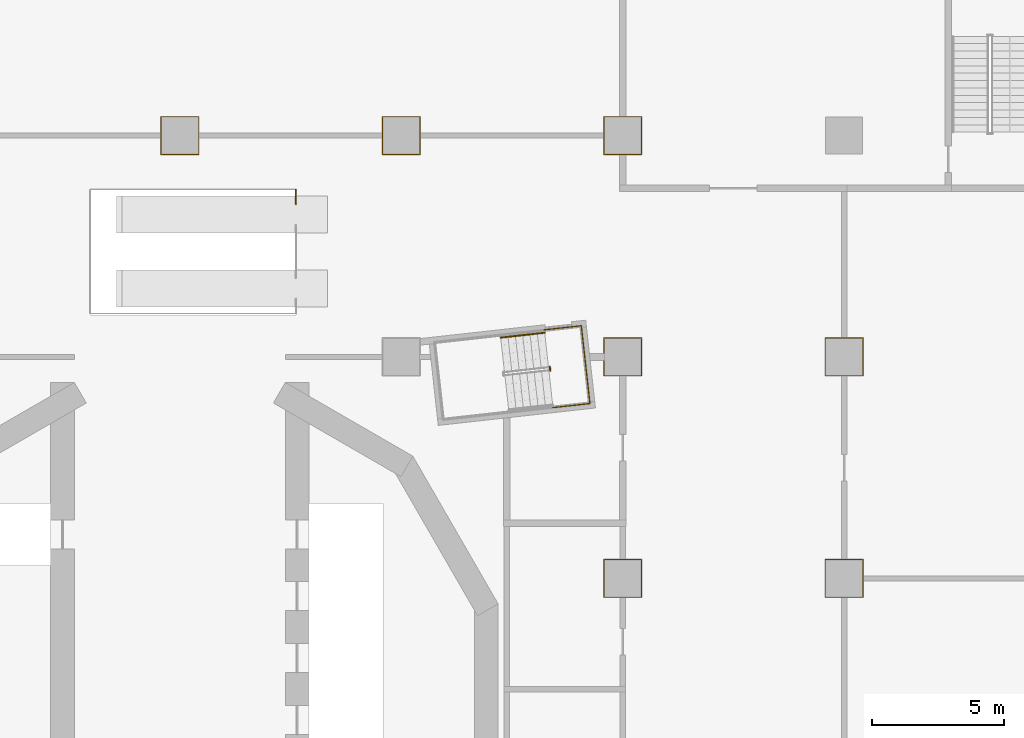
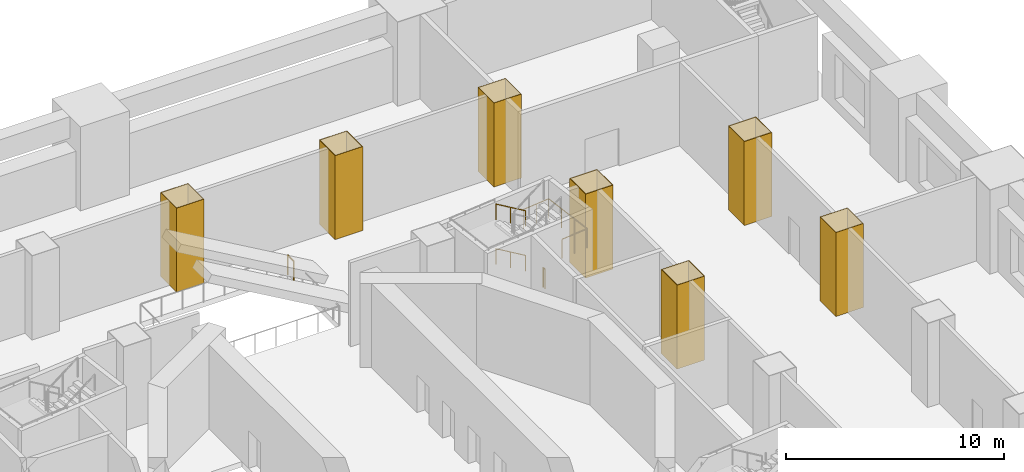
# One storey, part 14 of 18: 7 coverings, 5 railings.
"""IFC4 building model written with IfcOpenShell, lengths in metres."""

from ifc_helpers import new_model, si_unit, direction, frame, origin, origin_2d, place, context, subcontext, project, spatial, polyline, circle, outline, extrude, material, layer, layer_set, type_object, element, save


model = new_model("IFC4")

# Units and contexts
model_context = context("Model", 3, precision=1e-05, world=origin(), true_north=direction((0.0, 1.0)))
body_context = subcontext(model_context, "Body", "Model", "MODEL_VIEW")
ifc_project = project(units=[si_unit("LENGTHUNIT", "METRE"), si_unit("AREAUNIT", "SQUARE_METRE"), si_unit("VOLUMEUNIT", "CUBIC_METRE"), si_unit("PLANEANGLEUNIT", "RADIAN"), si_unit("MASSUNIT", "GRAM", prefix="KILO")], contexts=[model_context])

# Site, building, storey
site_placement = place(None, origin())
site = spatial("IfcSite", under=ifc_project, at=site_placement, CompositionType="ELEMENT")
building_placement = place(site_placement, origin())
building = spatial("IfcBuilding", under=site, at=building_placement, Name="Cantera Rosa Tower", CompositionType="ELEMENT")
storey_placement = place(building_placement, frame((0.0, 0.0, 17.0)))
storey = spatial("IfcBuildingStorey", under=building, at=storey_placement, Name="L02", CompositionType="ELEMENT", Elevation=17.0)

# Coverings
ifc_material_1 = material(Name="Plaster")
ifc_layer = layer(ifc_material_1, 0.030029296875)
ifc_layer_set = layer_set([ifc_layer], Name="Column casing 30")
covering_type = type_object("IfcCoveringType", Name="Column casing 30", PredefinedType="CLADDING", material=ifc_layer_set)
covering_1_placement = place(storey_placement, origin())
element("IfcCovering", 1, at=covering_1_placement, inside=storey, type_object=covering_type, Name="Column casing L02-019", PredefinedType="CLADDING", context=body_context, shape_type="SweptSolid", body=[
    extrude(outline(polyline([(-0.72998046875, 20.27001953125), (0.72998046875, 20.27001953125), (0.72998046875, 21.72998046875), (-0.72998046875, 21.72998046875), (-0.72998046875, 20.27001953125)]), holes=[polyline([(0.699951171875, 21.699951171875), (-0.699951171875, 21.699951171875), (-0.699951171875, 20.300048828125), (0.699951171875, 20.300048828125), (0.699951171875, 21.699951171875)])]), origin(), (0.0, 0.0, 1.0), 4.699951171875),
])
covering_2_placement = place(storey_placement, origin())
element("IfcCovering", 2, at=covering_2_placement, inside=storey, type_object=covering_type, Name="Column casing L02-023", PredefinedType="CLADDING", context=body_context, shape_type="SweptSolid", body=[
    extrude(outline(polyline([(7.669921875, 20.27001953125), (9.1298828125, 20.27001953125), (9.1298828125, 21.72998046875), (7.669921875, 21.72998046875), (7.669921875, 20.27001953125)]), holes=[polyline([(9.10009765625, 21.699951171875), (7.699951171875, 21.699951171875), (7.699951171875, 20.300048828125), (9.10009765625, 20.300048828125), (9.10009765625, 21.699951171875)])]), origin(), (0.0, 0.0, 1.0), 4.699951171875),
])
covering_3_placement = place(storey_placement, origin())
element("IfcCovering", 3, at=covering_3_placement, inside=storey, type_object=covering_type, Name="Column casing L02-028", PredefinedType="CLADDING", context=body_context, shape_type="SweptSolid", body=[
    extrude(outline(polyline([(16.070068359375, 3.469970703125), (17.530029296875, 3.469970703125), (17.530029296875, 4.929931640625), (16.070068359375, 4.929931640625), (16.070068359375, 3.469970703125)]), holes=[polyline([(17.5, 4.89990234375), (16.10009765625, 4.89990234375), (16.10009765625, 3.5), (17.5, 3.5), (17.5, 4.89990234375)])]), origin(), (0.0, 0.0, 1.0), 4.699951171875),
])
covering_4_placement = place(storey_placement, origin())
element("IfcCovering", 4, at=covering_4_placement, inside=storey, type_object=covering_type, Name="Column casing L02-029", PredefinedType="CLADDING", context=body_context, shape_type="SweptSolid", body=[
    extrude(outline(polyline([(16.070068359375, 11.8701171875), (17.530029296875, 11.8701171875), (17.530029296875, 13.330078125), (16.070068359375, 13.330078125), (16.070068359375, 11.8701171875)]), holes=[polyline([(17.5, 13.300048828125), (16.10009765625, 13.300048828125), (16.10009765625, 11.89990234375), (17.5, 11.89990234375), (17.5, 13.300048828125)])]), origin(), (0.0, 0.0, 1.0), 4.699951171875),
])
covering_5_placement = place(storey_placement, origin())
element("IfcCovering", 5, at=covering_5_placement, inside=storey, type_object=covering_type, Name="Column casing L02-030", PredefinedType="CLADDING", context=body_context, shape_type="SweptSolid", body=[
    extrude(outline(polyline([(16.070068359375, 20.27001953125), (17.530029296875, 20.27001953125), (17.530029296875, 21.72998046875), (16.070068359375, 21.72998046875), (16.070068359375, 20.27001953125)]), holes=[polyline([(17.5, 21.699951171875), (16.10009765625, 21.699951171875), (16.10009765625, 20.300048828125), (17.5, 20.300048828125), (17.5, 21.699951171875)])]), origin(), (0.0, 0.0, 1.0), 4.699951171875),
])
covering_6_placement = place(storey_placement, origin())
element("IfcCovering", 6, at=covering_6_placement, inside=storey, type_object=covering_type, Name="Column casing L02-034", PredefinedType="CLADDING", context=body_context, shape_type="SweptSolid", body=[
    extrude(outline(polyline([(24.469970703125, 3.469970703125), (25.929931640625, 3.469970703125), (25.929931640625, 4.929931640625), (24.469970703125, 4.929931640625), (24.469970703125, 3.469970703125)]), holes=[polyline([(25.89990234375, 4.89990234375), (24.5, 4.89990234375), (24.5, 3.5), (25.89990234375, 3.5), (25.89990234375, 4.89990234375)])]), origin(), (0.0, 0.0, 1.0), 4.699951171875),
])
covering_7_placement = place(storey_placement, origin())
element("IfcCovering", 7, at=covering_7_placement, inside=storey, type_object=covering_type, Name="Column casing L02-035", PredefinedType="CLADDING", context=body_context, shape_type="SweptSolid", body=[
    extrude(outline(polyline([(24.469970703125, 11.8701171875), (25.929931640625, 11.8701171875), (25.929931640625, 13.330078125), (24.469970703125, 13.330078125), (24.469970703125, 11.8701171875)]), holes=[polyline([(25.89990234375, 13.300048828125), (24.5, 13.300048828125), (24.5, 11.89990234375), (25.89990234375, 11.89990234375), (25.89990234375, 13.300048828125)])]), origin(), (0.0, 0.0, 1.0), 4.699951171875),
])

# Railings
ifc_material_2 = material(Name="Steel S355J2 (EN 10025-2)", Category="steel")
railing_type_1 = type_object("IfcRailingType", Name="STAIR GUARD 1100", PredefinedType="GUARDRAIL", material=ifc_material_2)
railing_1_placement = place(storey_placement, frame((14.032958984375, 12.234375, 0.0)))
element("IfcRailing", 8, at=railing_1_placement, inside=storey, type_object=railing_type_1, Name="L02 ST-11 stair guard 5", PredefinedType="GUARDRAIL", context=body_context, shape_type="SweptSolid", body=[
    extrude(circle(Radius=0.02392578125, at=origin_2d()), frame((0.0, 0.0, 1.076171875), z_axis=(0.109179471459, -0.994022053584, 0.0), x_axis=(0.994022053584, 0.109179471459, 0.0)), (0.0, 0.0, 1.0), 0.14990234375),
    extrude(circle(Radius=0.02099609375, at=origin_2d()), origin(), (0.0, 0.0, 1.0), 1.052001953125),
    extrude(circle(Radius=0.02099609375, at=origin_2d()), frame((0.016357421875, -0.14892578125, 0.0)), (0.0, 0.0, 1.0), 1.052001953125),
])
railing_2_placement = place(storey_placement, frame((13.815673828125, 13.629150390625, 2.5)))
element("IfcRailing", 9, at=railing_2_placement, inside=storey, type_object=railing_type_1, Name="L02 ST-11 stair guard 8", PredefinedType="GUARDRAIL", context=body_context, shape_type="SweptSolid", body=[
    extrude(circle(Radius=0.02392578125, at=origin_2d()), frame((0.0, 0.0, 1.076171875), z_axis=(0.993906744489, 0.110224240795, 0.0), x_axis=(-0.110224240795, 0.993906744489, 0.0)), (0.0, 0.0, 1.0), 1.421875),
    extrude(circle(Radius=0.02392578125, at=origin_2d()), frame((1.413330078125, 0.15673828125, 1.076171875), z_axis=(0.110314237986, -0.993896759678, 0.0), x_axis=(0.993896759678, 0.110314237986, 0.0)), (0.0, 0.0, 1.0), 2.969970703125),
    extrude(circle(Radius=0.02392578125, at=origin_2d()), frame((1.740966796875, -2.795166015625, 1.076171875), z_axis=(-0.993906744489, -0.110224240795, 0.0), x_axis=(0.110224240795, -0.993906744489, 0.0)), (0.0, 0.0, 1.0), 1.421875),
    extrude(circle(Radius=0.02099609375, at=origin_2d()), origin(), (0.0, 0.0, 1.0), 1.052001953125),
    extrude(circle(Radius=0.02099609375, at=origin_2d()), frame((0.70654296875, 0.078369140625, 0.0)), (0.0, 0.0, 1.0), 1.052001953125),
    extrude(circle(Radius=0.02099609375, at=origin_2d()), frame((1.413330078125, 0.15673828125, 0.0)), (0.0, 0.0, 1.0), 1.052001953125),
    extrude(circle(Radius=0.02099609375, at=origin_2d()), frame((1.5224609375, -0.8271484375, 0.0)), (0.0, 0.0, 1.0), 1.052001953125),
    extrude(circle(Radius=0.02099609375, at=origin_2d()), frame((1.6318359375, -1.811279296875, 0.0)), (0.0, 0.0, 1.0), 1.052001953125),
    extrude(circle(Radius=0.02099609375, at=origin_2d()), frame((1.740966796875, -2.795166015625, 0.0)), (0.0, 0.0, 1.0), 1.052001953125),
    extrude(circle(Radius=0.02099609375, at=origin_2d()), frame((1.0341796875, -2.87353515625, 0.0)), (0.0, 0.0, 1.0), 1.052001953125),
    extrude(circle(Radius=0.02099609375, at=origin_2d()), frame((0.32763671875, -2.951904296875, 0.0)), (0.0, 0.0, 1.0), 1.052001953125),
])
ifc_material_3 = material(Name="Steel S355J2 (EN 10025-2)", Category="steel")
railing_type_2 = type_object("IfcRailingType", Name="STAIR HANDRAIL 900", PredefinedType="HANDRAIL", material=ifc_material_3)
for number, where, name in (
    (10, (13.83984375, 13.52099609375, 0.178466796875), "L02 ST-11 stair handrail 1"),
    (11, (13.83984375, 13.52099609375, 2.678466796875), "L02 ST-11 stair handrail 3"),
):
    element("IfcRailing", number, at=place(storey_placement, frame(where)), inside=storey, type_object=railing_type_2, Name=name, PredefinedType="HANDRAIL", context=body_context, shape_type="SweptSolid", body=[
        extrude(circle(Radius=0.02392578125, at=origin_2d()), frame((0.0, 0.0, 0.8759765625), z_axis=(-0.837987391448, -0.092987197384, 0.537708576179), x_axis=(0.11028798999, -0.993899672635, 0.0)), (0.0, 0.0, 1.0), 1.99267578125),
        extrude(circle(Radius=0.02099609375, at=origin_2d()), origin(), (0.0, 0.0, 1.0), 0.851806640625),
        extrude(circle(Radius=0.02099609375, at=origin_2d()), frame((-0.8349609375, -0.0927734375, 0.53564453125)), (0.0, 0.0, 1.0), 0.851806640625),
        extrude(circle(Radius=0.02099609375, at=origin_2d()), frame((-1.669921875, -0.185302734375, 1.071533203125)), (0.0, 0.0, 1.0), 0.851806640625),
    ])
ifc_material_4 = material(Name="Steel S355J2 (EN 10025-2)", Category="steel")
railing_type_3 = type_object("IfcRailingType", Name="Well guard 1100", PredefinedType="GUARDRAIL", material=ifc_material_4)
railing_3_placement = place(storey_placement, frame((4.39990234375, 18.39990234375, 0.0)))
element("IfcRailing", 12, at=railing_3_placement, inside=storey, type_object=railing_type_3, Name="Guard at the top of escalator well L02", PredefinedType="GUARDRAIL", context=body_context, shape_type="SweptSolid", body=[
    extrude(circle(Radius=0.02392578125, at=origin_2d()), frame((0.0, 0.0, 1.076171875), z_axis=(0.0, 1.0, 0.0), x_axis=(-1.0, 0.0, 0.0)), (0.0, 0.0, 1.0), 0.550048828125),
    extrude(circle(Radius=0.02099609375, at=origin_2d()), origin(), (0.0, 0.0, 1.0), 1.052001953125),
    extrude(circle(Radius=0.02099609375, at=origin_2d()), frame((0.0, 0.550048828125, 0.0)), (0.0, 0.0, 1.0), 1.052001953125),
])

save(model, "model.ifc")
